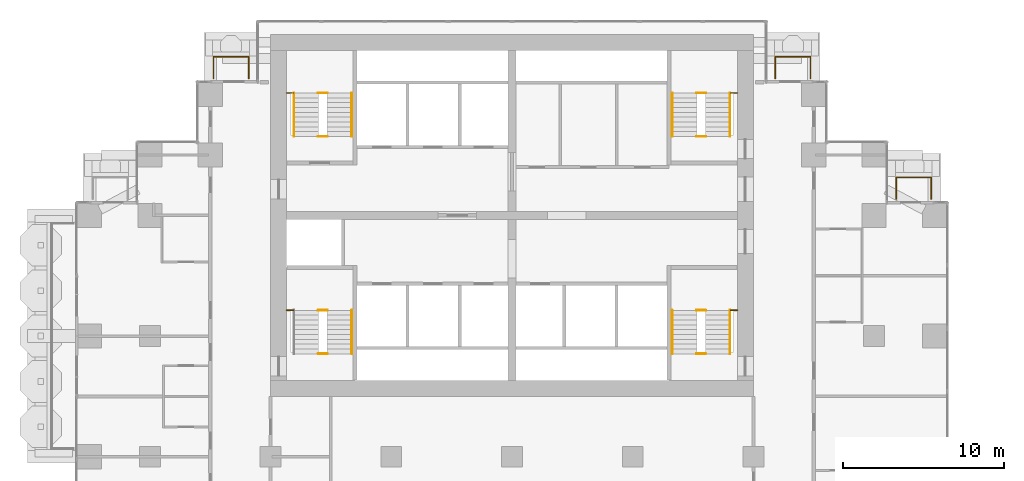
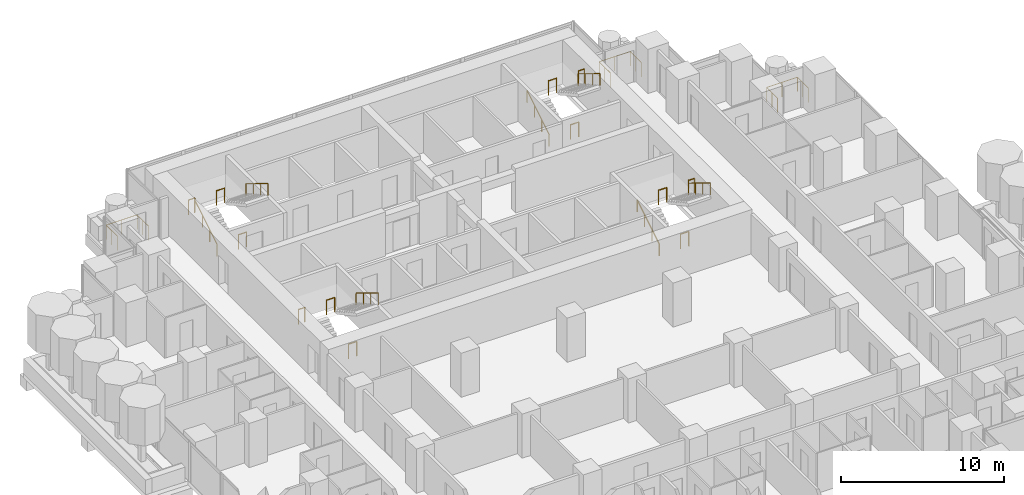
# One storey, part 18 of 19: 22 railings.
"""IFC4 building model written with IfcOpenShell, lengths in metres."""

from ifc_helpers import new_model, si_unit, direction, frame, origin, origin_2d, place, context, subcontext, project, spatial, circle, extrude, material, type_object, element, save


model = new_model("IFC4")

# Units and contexts
model_context = context("Model", 3, precision=1e-05, world=origin(), true_north=direction((0.0, 1.0)))
body_context = subcontext(model_context, "Body", "Model", "MODEL_VIEW")
ifc_project = project(units=[si_unit("LENGTHUNIT", "METRE"), si_unit("AREAUNIT", "SQUARE_METRE"), si_unit("VOLUMEUNIT", "CUBIC_METRE"), si_unit("PLANEANGLEUNIT", "RADIAN"), si_unit("MASSUNIT", "GRAM", prefix="KILO")], contexts=[model_context])

# Site, building, storey
site_placement = place(None, origin())
site = spatial("IfcSite", under=ifc_project, at=site_placement, CompositionType="ELEMENT")
building_placement = place(site_placement, origin())
building = spatial("IfcBuilding", under=site, at=building_placement, Name="Pilkhan Gate Tower", CompositionType="ELEMENT")
storey_placement = place(building_placement, frame((0.0, 0.0, 89.0)))
storey = spatial("IfcBuildingStorey", under=building, at=storey_placement, Name="L21", CompositionType="ELEMENT", Elevation=89.0)

# Railings
ifc_material_1 = material(Name="Pale anodised aluminium posts, laminated glass infill", Category="aluminium")
railing_type_1 = type_object("IfcRailingType", Name="Balcony guard G1", PredefinedType="BALUSTRADE", material=ifc_material_1)
for number, where, name in (
    (1, (56.449951171875, 91.0, 0.0), "Balcony guard L21 N"),
    (2, (91.35009765625, 91.0, 0.0), "Balcony guard L21 N"),
):
    element("IfcRailing", number, at=place(storey_placement, frame(where)), inside=storey, type_object=railing_type_1, Name=name, PredefinedType="BALUSTRADE", context=body_context, shape_type="SweptSolid", body=[
        extrude(circle(Radius=0.02392578125, at=origin_2d()), frame((0.0, 0.0, 1.076171875), z_axis=(0.0, 1.0, 0.0), x_axis=(-1.0, 0.0, 0.0)), (0.0, 0.0, 1.0), 1.35009765625),
        extrude(circle(Radius=0.02392578125, at=origin_2d()), frame((0.0, 1.35009765625, 1.076171875), z_axis=(1.0, 0.0, 0.0), x_axis=(0.0, 1.0, 0.0)), (0.0, 0.0, 1.0), 2.199951171875),
        extrude(circle(Radius=0.02392578125, at=origin_2d()), frame((2.199951171875, 1.35009765625, 1.076171875), z_axis=(0.0, -1.0, 0.0), x_axis=(1.0, 0.0, 0.0)), (0.0, 0.0, 1.0), 1.35009765625),
        extrude(circle(Radius=0.02099609375, at=origin_2d()), origin(), (0.0, 0.0, 1.0), 1.052001953125),
        extrude(circle(Radius=0.02099609375, at=origin_2d()), frame((0.0, 0.675048828125, 0.0)), (0.0, 0.0, 1.0), 1.052001953125),
        extrude(circle(Radius=0.02099609375, at=origin_2d()), frame((0.0, 1.35009765625, 0.0)), (0.0, 0.0, 1.0), 1.052001953125),
        extrude(circle(Radius=0.02099609375, at=origin_2d()), frame((1.10009765625, 1.35009765625, 0.0)), (0.0, 0.0, 1.0), 1.052001953125),
        extrude(circle(Radius=0.02099609375, at=origin_2d()), frame((2.199951171875, 1.35009765625, 0.0)), (0.0, 0.0, 1.0), 1.052001953125),
        extrude(circle(Radius=0.02099609375, at=origin_2d()), frame((2.199951171875, 0.675048828125, 0.0)), (0.0, 0.0, 1.0), 1.052001953125),
        extrude(circle(Radius=0.02099609375, at=origin_2d()), frame((2.199951171875, 0.0, 0.0)), (0.0, 0.0, 1.0), 1.052001953125),
    ])
railing_1_placement = place(storey_placement, frame((98.8701171875, 83.52001953125, 0.0)))
element("IfcRailing", 3, at=railing_1_placement, inside=storey, type_object=railing_type_1, Name="Balcony guard L21 N", PredefinedType="BALUSTRADE", context=body_context, shape_type="SweptSolid", body=[
    extrude(circle(Radius=0.02392578125, at=origin_2d()), frame((0.0, 0.0, 1.076171875), z_axis=(0.0, 1.0, 0.0), x_axis=(-1.0, 0.0, 0.0)), (0.0, 0.0, 1.0), 1.330078125),
    extrude(circle(Radius=0.02392578125, at=origin_2d()), frame((0.0, 1.330078125, 1.076171875), z_axis=(1.0, 0.0, 0.0), x_axis=(0.0, 1.0, 0.0)), (0.0, 0.0, 1.0), 2.179931640625),
    extrude(circle(Radius=0.02392578125, at=origin_2d()), frame((2.179931640625, 1.330078125, 1.076171875), z_axis=(0.0, -1.0, 0.0), x_axis=(1.0, 0.0, 0.0)), (0.0, 0.0, 1.0), 1.330078125),
    extrude(circle(Radius=0.02099609375, at=origin_2d()), origin(), (0.0, 0.0, 1.0), 1.052001953125),
    extrude(circle(Radius=0.02099609375, at=origin_2d()), frame((0.0, 0.6650390625, 0.0)), (0.0, 0.0, 1.0), 1.052001953125),
    extrude(circle(Radius=0.02099609375, at=origin_2d()), frame((0.0, 1.330078125, 0.0)), (0.0, 0.0, 1.0), 1.052001953125),
    extrude(circle(Radius=0.02099609375, at=origin_2d()), frame((1.08984375, 1.330078125, 0.0)), (0.0, 0.0, 1.0), 1.052001953125),
    extrude(circle(Radius=0.02099609375, at=origin_2d()), frame((2.179931640625, 1.330078125, 0.0)), (0.0, 0.0, 1.0), 1.052001953125),
    extrude(circle(Radius=0.02099609375, at=origin_2d()), frame((2.179931640625, 0.6650390625, 0.0)), (0.0, 0.0, 1.0), 1.052001953125),
    extrude(circle(Radius=0.02099609375, at=origin_2d()), frame((2.179931640625, 0.0, 0.0)), (0.0, 0.0, 1.0), 1.052001953125),
])
ifc_material_2 = material(Name="Black powder-coated steel tube", Category="steel")
railing_type_2 = type_object("IfcRailingType", Name="Stair handrail HR1", PredefinedType="HANDRAIL", material=ifc_material_2)
railing_2_placement = place(storey_placement, frame((84.949951171875, 73.89990234375, 0.0)))
element("IfcRailing", 4, at=railing_2_placement, inside=storey, type_object=railing_type_2, Name="Stair ST1 handrail L21", PredefinedType="HANDRAIL", context=body_context, shape_type="SweptSolid", body=[
    extrude(circle(Radius=0.02392578125, at=origin_2d()), frame((0.0, 0.0, 0.8759765625), z_axis=(0.0, 0.853312346642, 0.521400075823), x_axis=(-1.0, 0.0, 0.0)), (0.0, 0.0, 1.0), 3.164306640625),
    extrude(circle(Radius=0.02099609375, at=origin_2d()), origin(), (0.0, 0.0, 1.0), 0.851806640625),
    extrude(circle(Radius=0.02099609375, at=origin_2d()), frame((0.0, 0.900146484375, 0.550048828125)), (0.0, 0.0, 1.0), 0.851806640625),
    extrude(circle(Radius=0.02099609375, at=origin_2d()), frame((0.0, 1.800048828125, 1.099853515625)), (0.0, 0.0, 1.0), 0.851806640625),
    extrude(circle(Radius=0.02099609375, at=origin_2d()), frame((0.0, 2.7001953125, 1.64990234375)), (0.0, 0.0, 1.0), 0.851806640625),
])
for number, where, name in (
    (5, (88.550048828125, 76.60009765625, 1.64990234375), "Stair ST1 handrail L21"),
    (6, (65.050048828125, 76.60009765625, 1.64990234375), "Stair ST2 handrail L21"),
):
    element("IfcRailing", number, at=place(storey_placement, frame(where)), inside=storey, type_object=railing_type_2, Name=name, PredefinedType="HANDRAIL", context=body_context, shape_type="SweptSolid", body=[
        extrude(circle(Radius=0.02392578125, at=origin_2d()), frame((0.0, 0.0, 0.8759765625), z_axis=(0.0, -0.853278019476, 0.521456250781), x_axis=(1.0, 0.0, 0.0)), (0.0, 0.0, 1.0), 3.16455078125),
        extrude(circle(Radius=0.02099609375, at=origin_2d()), origin(), (0.0, 0.0, 1.0), 0.851806640625),
        extrude(circle(Radius=0.02099609375, at=origin_2d()), frame((0.0, -0.900146484375, 0.550048828125)), (0.0, 0.0, 1.0), 0.851806640625),
        extrude(circle(Radius=0.02099609375, at=origin_2d()), frame((0.0, -1.800048828125, 1.10009765625)), (0.0, 0.0, 1.0), 0.851806640625),
        extrude(circle(Radius=0.02099609375, at=origin_2d()), frame((0.0, -2.7001953125, 1.650146484375)), (0.0, 0.0, 1.0), 0.851806640625),
    ])
railing_3_placement = place(storey_placement, frame((61.449951171875, 87.39990234375, 0.0)))
element("IfcRailing", 7, at=railing_3_placement, inside=storey, type_object=railing_type_2, Name="Stair ST3 handrail L21", PredefinedType="HANDRAIL", context=body_context, shape_type="SweptSolid", body=[
    extrude(circle(Radius=0.02392578125, at=origin_2d()), frame((0.0, 0.0, 0.8759765625), z_axis=(0.0, 0.853312346642, 0.521400075823), x_axis=(-1.0, 0.0, 0.0)), (0.0, 0.0, 1.0), 3.164306640625),
    extrude(circle(Radius=0.02099609375, at=origin_2d()), origin(), (0.0, 0.0, 1.0), 0.851806640625),
    extrude(circle(Radius=0.02099609375, at=origin_2d()), frame((0.0, 0.900146484375, 0.550048828125)), (0.0, 0.0, 1.0), 0.851806640625),
    extrude(circle(Radius=0.02099609375, at=origin_2d()), frame((0.0, 1.800048828125, 1.099853515625)), (0.0, 0.0, 1.0), 0.851806640625),
    extrude(circle(Radius=0.02099609375, at=origin_2d()), frame((0.0, 2.7001953125, 1.64990234375)), (0.0, 0.0, 1.0), 0.851806640625),
])
railing_4_placement = place(storey_placement, frame((65.050048828125, 90.10009765625, 1.64990234375)))
element("IfcRailing", 8, at=railing_4_placement, inside=storey, type_object=railing_type_2, Name="Stair ST3 handrail L21", PredefinedType="HANDRAIL", context=body_context, shape_type="SweptSolid", body=[
    extrude(circle(Radius=0.02392578125, at=origin_2d()), frame((0.0, 0.0, 0.8759765625), z_axis=(0.0, -0.853278019476, 0.521456250781), x_axis=(1.0, 0.0, 0.0)), (0.0, 0.0, 1.0), 3.16455078125),
    extrude(circle(Radius=0.02099609375, at=origin_2d()), origin(), (0.0, 0.0, 1.0), 0.851806640625),
    extrude(circle(Radius=0.02099609375, at=origin_2d()), frame((0.0, -0.900146484375, 0.550048828125)), (0.0, 0.0, 1.0), 0.851806640625),
    extrude(circle(Radius=0.02099609375, at=origin_2d()), frame((0.0, -1.800048828125, 1.10009765625)), (0.0, 0.0, 1.0), 0.851806640625),
    extrude(circle(Radius=0.02099609375, at=origin_2d()), frame((0.0, -2.7001953125, 1.650146484375)), (0.0, 0.0, 1.0), 0.851806640625),
])
railing_5_placement = place(storey_placement, frame((84.949951171875, 87.39990234375, 0.0)))
element("IfcRailing", 9, at=railing_5_placement, inside=storey, type_object=railing_type_2, Name="Stair ST4 handrail L21", PredefinedType="HANDRAIL", context=body_context, shape_type="SweptSolid", body=[
    extrude(circle(Radius=0.02392578125, at=origin_2d()), frame((0.0, 0.0, 0.8759765625), z_axis=(0.0, 0.853312346642, 0.521400075823), x_axis=(-1.0, 0.0, 0.0)), (0.0, 0.0, 1.0), 3.164306640625),
    extrude(circle(Radius=0.02099609375, at=origin_2d()), origin(), (0.0, 0.0, 1.0), 0.851806640625),
    extrude(circle(Radius=0.02099609375, at=origin_2d()), frame((0.0, 0.900146484375, 0.550048828125)), (0.0, 0.0, 1.0), 0.851806640625),
    extrude(circle(Radius=0.02099609375, at=origin_2d()), frame((0.0, 1.800048828125, 1.099853515625)), (0.0, 0.0, 1.0), 0.851806640625),
    extrude(circle(Radius=0.02099609375, at=origin_2d()), frame((0.0, 2.7001953125, 1.64990234375)), (0.0, 0.0, 1.0), 0.851806640625),
])
railing_6_placement = place(storey_placement, frame((88.550048828125, 90.10009765625, 1.64990234375)))
element("IfcRailing", 10, at=railing_6_placement, inside=storey, type_object=railing_type_2, Name="Stair ST4 handrail L21", PredefinedType="HANDRAIL", context=body_context, shape_type="SweptSolid", body=[
    extrude(circle(Radius=0.02392578125, at=origin_2d()), frame((0.0, 0.0, 0.8759765625), z_axis=(0.0, -0.853278019476, 0.521456250781), x_axis=(1.0, 0.0, 0.0)), (0.0, 0.0, 1.0), 3.16455078125),
    extrude(circle(Radius=0.02099609375, at=origin_2d()), origin(), (0.0, 0.0, 1.0), 0.851806640625),
    extrude(circle(Radius=0.02099609375, at=origin_2d()), frame((0.0, -0.900146484375, 0.550048828125)), (0.0, 0.0, 1.0), 0.851806640625),
    extrude(circle(Radius=0.02099609375, at=origin_2d()), frame((0.0, -1.800048828125, 1.10009765625)), (0.0, 0.0, 1.0), 0.851806640625),
    extrude(circle(Radius=0.02099609375, at=origin_2d()), frame((0.0, -2.7001953125, 1.650146484375)), (0.0, 0.0, 1.0), 0.851806640625),
])
ifc_material_3 = material(Name="Black powder-coated steel balusters", Category="steel")
railing_type_3 = type_object("IfcRailingType", Name="Stair well guard G3", PredefinedType="GUARDRAIL", material=ifc_material_3)
railing_7_placement = place(storey_placement, frame((88.580078125, 76.60009765625, 1.64990234375)))
element("IfcRailing", 11, at=railing_7_placement, inside=storey, type_object=railing_type_3, Name="Stair ST1 well guard L21", PredefinedType="GUARDRAIL", context=body_context, shape_type="SweptSolid", body=[
    extrude(circle(Radius=0.02392578125, at=origin_2d()), frame((0.0, 0.0, 1.076171875), z_axis=(1.0, 0.0, 0.0), x_axis=(0.0, 1.0, 0.0)), (0.0, 0.0, 1.0), 0.43994140625),
    extrude(circle(Radius=0.02099609375, at=origin_2d()), origin(), (0.0, 0.0, 1.0), 1.052001953125),
    extrude(circle(Radius=0.02099609375, at=origin_2d()), frame((0.43994140625, 0.0, 0.0)), (0.0, 0.0, 1.0), 1.052001953125),
])
for number, where, name in (
    (12, (86.4599609375, 73.89990234375, 0.0), "Stair ST1 well guard L21"),
    (13, (86.4599609375, 76.60009765625, 1.64990234375), "Stair ST1 well guard L21"),
):
    element("IfcRailing", number, at=place(storey_placement, frame(where)), inside=storey, type_object=railing_type_3, Name=name, PredefinedType="GUARDRAIL", context=body_context, shape_type="SweptSolid", body=[
        extrude(circle(Radius=0.02392578125, at=origin_2d()), frame((0.0, 0.0, 1.076171875), z_axis=(1.0, 0.0, 0.0), x_axis=(0.0, 1.0, 0.0)), (0.0, 0.0, 1.0), 0.580078125),
        extrude(circle(Radius=0.02099609375, at=origin_2d()), origin(), (0.0, 0.0, 1.0), 1.052001953125),
        extrude(circle(Radius=0.02099609375, at=origin_2d()), frame((0.580078125, 0.0, 0.0)), (0.0, 0.0, 1.0), 1.052001953125),
    ])
railing_8_placement = place(storey_placement, frame((60.97998046875, 76.60009765625, 1.64990234375)))
element("IfcRailing", 14, at=railing_8_placement, inside=storey, type_object=railing_type_3, Name="Stair ST2 well guard L21", PredefinedType="GUARDRAIL", context=body_context, shape_type="SweptSolid", body=[
    extrude(circle(Radius=0.02392578125, at=origin_2d()), frame((0.0, 0.0, 1.076171875), z_axis=(1.0, 0.0, 0.0), x_axis=(0.0, 1.0, 0.0)), (0.0, 0.0, 1.0), 0.43994140625),
    extrude(circle(Radius=0.02099609375, at=origin_2d()), origin(), (0.0, 0.0, 1.0), 1.052001953125),
    extrude(circle(Radius=0.02099609375, at=origin_2d()), frame((0.43994140625, 0.0, 0.0)), (0.0, 0.0, 1.0), 1.052001953125),
])
for number, where, name in (
    (15, (62.9599609375, 73.89990234375, 0.0), "Stair ST2 well guard L21"),
    (16, (62.9599609375, 76.60009765625, 1.64990234375), "Stair ST2 well guard L21"),
):
    element("IfcRailing", number, at=place(storey_placement, frame(where)), inside=storey, type_object=railing_type_3, Name=name, PredefinedType="GUARDRAIL", context=body_context, shape_type="SweptSolid", body=[
        extrude(circle(Radius=0.02392578125, at=origin_2d()), frame((0.0, 0.0, 1.076171875), z_axis=(1.0, 0.0, 0.0), x_axis=(0.0, 1.0, 0.0)), (0.0, 0.0, 1.0), 0.580078125),
        extrude(circle(Radius=0.02099609375, at=origin_2d()), origin(), (0.0, 0.0, 1.0), 1.052001953125),
        extrude(circle(Radius=0.02099609375, at=origin_2d()), frame((0.580078125, 0.0, 0.0)), (0.0, 0.0, 1.0), 1.052001953125),
    ])
railing_9_placement = place(storey_placement, frame((60.97998046875, 90.10009765625, 1.64990234375)))
element("IfcRailing", 17, at=railing_9_placement, inside=storey, type_object=railing_type_3, Name="Stair ST3 well guard L21", PredefinedType="GUARDRAIL", context=body_context, shape_type="SweptSolid", body=[
    extrude(circle(Radius=0.02392578125, at=origin_2d()), frame((0.0, 0.0, 1.076171875), z_axis=(1.0, 0.0, 0.0), x_axis=(0.0, 1.0, 0.0)), (0.0, 0.0, 1.0), 0.43994140625),
    extrude(circle(Radius=0.02099609375, at=origin_2d()), origin(), (0.0, 0.0, 1.0), 1.052001953125),
    extrude(circle(Radius=0.02099609375, at=origin_2d()), frame((0.43994140625, 0.0, 0.0)), (0.0, 0.0, 1.0), 1.052001953125),
])
for number, where, name in (
    (18, (62.9599609375, 87.39990234375, 0.0), "Stair ST3 well guard L21"),
    (19, (62.9599609375, 90.10009765625, 1.64990234375), "Stair ST3 well guard L21"),
):
    element("IfcRailing", number, at=place(storey_placement, frame(where)), inside=storey, type_object=railing_type_3, Name=name, PredefinedType="GUARDRAIL", context=body_context, shape_type="SweptSolid", body=[
        extrude(circle(Radius=0.02392578125, at=origin_2d()), frame((0.0, 0.0, 1.076171875), z_axis=(1.0, 0.0, 0.0), x_axis=(0.0, 1.0, 0.0)), (0.0, 0.0, 1.0), 0.580078125),
        extrude(circle(Radius=0.02099609375, at=origin_2d()), origin(), (0.0, 0.0, 1.0), 1.052001953125),
        extrude(circle(Radius=0.02099609375, at=origin_2d()), frame((0.580078125, 0.0, 0.0)), (0.0, 0.0, 1.0), 1.052001953125),
    ])
railing_10_placement = place(storey_placement, frame((88.580078125, 90.10009765625, 1.64990234375)))
element("IfcRailing", 20, at=railing_10_placement, inside=storey, type_object=railing_type_3, Name="Stair ST4 well guard L21", PredefinedType="GUARDRAIL", context=body_context, shape_type="SweptSolid", body=[
    extrude(circle(Radius=0.02392578125, at=origin_2d()), frame((0.0, 0.0, 1.076171875), z_axis=(1.0, 0.0, 0.0), x_axis=(0.0, 1.0, 0.0)), (0.0, 0.0, 1.0), 0.43994140625),
    extrude(circle(Radius=0.02099609375, at=origin_2d()), origin(), (0.0, 0.0, 1.0), 1.052001953125),
    extrude(circle(Radius=0.02099609375, at=origin_2d()), frame((0.43994140625, 0.0, 0.0)), (0.0, 0.0, 1.0), 1.052001953125),
])
for number, where, name in (
    (21, (86.4599609375, 87.39990234375, 0.0), "Stair ST4 well guard L21"),
    (22, (86.4599609375, 90.10009765625, 1.64990234375), "Stair ST4 well guard L21"),
):
    element("IfcRailing", number, at=place(storey_placement, frame(where)), inside=storey, type_object=railing_type_3, Name=name, PredefinedType="GUARDRAIL", context=body_context, shape_type="SweptSolid", body=[
        extrude(circle(Radius=0.02392578125, at=origin_2d()), frame((0.0, 0.0, 1.076171875), z_axis=(1.0, 0.0, 0.0), x_axis=(0.0, 1.0, 0.0)), (0.0, 0.0, 1.0), 0.580078125),
        extrude(circle(Radius=0.02099609375, at=origin_2d()), origin(), (0.0, 0.0, 1.0), 1.052001953125),
        extrude(circle(Radius=0.02099609375, at=origin_2d()), frame((0.580078125, 0.0, 0.0)), (0.0, 0.0, 1.0), 1.052001953125),
    ])

save(model, "model.ifc")
